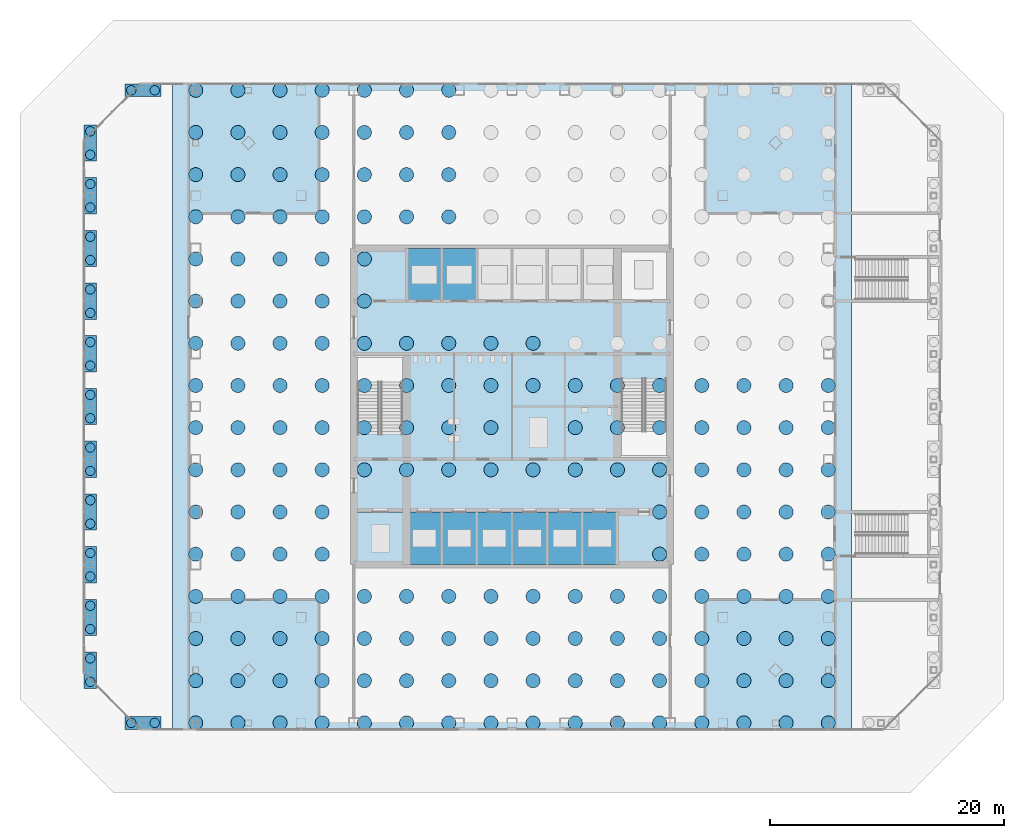
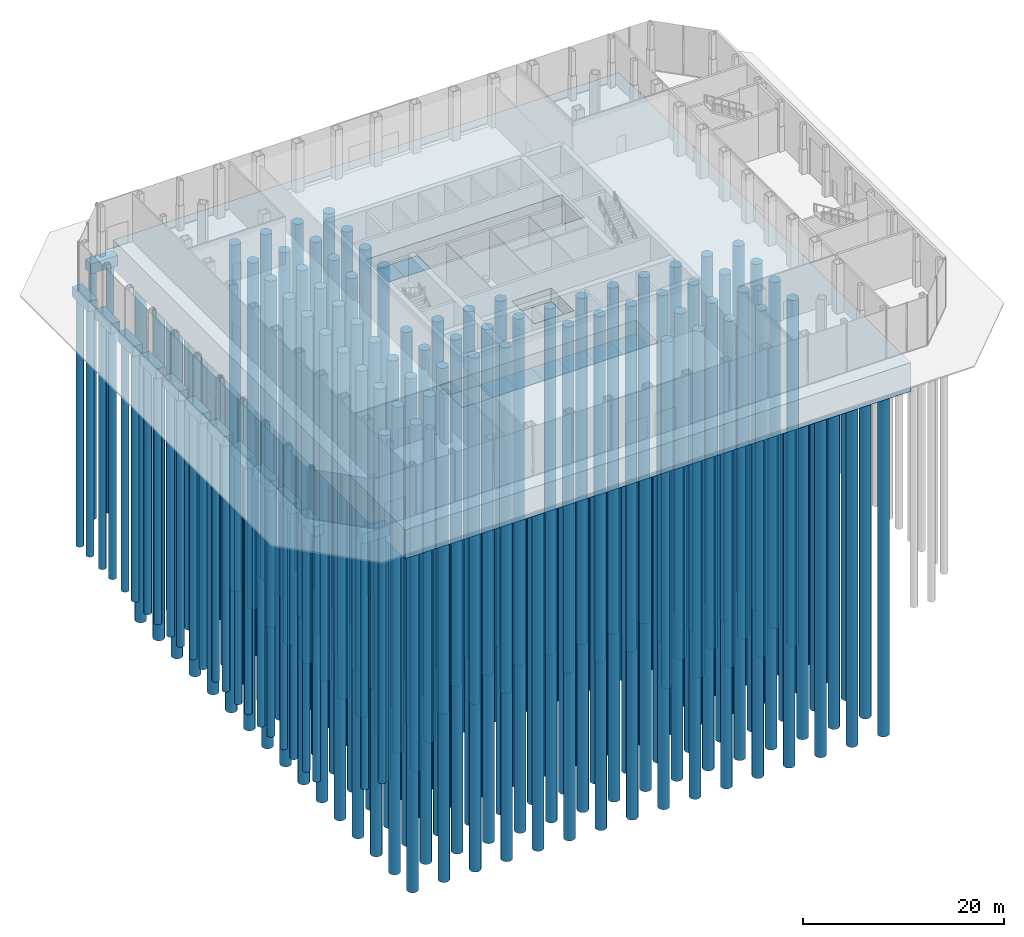
# One storey, part 1 of 24: 202 piles, 24 footings.
"""IFC4 building model written with IfcOpenShell, lengths in metres."""

from ifc_helpers import new_model, si_unit, direction, frame, origin, origin_2d, place, context, subcontext, project, spatial, polyline, circle, outline, extrude, material, type_object, element, save


model = new_model("IFC4")

# Units and contexts
model_context = context("Model", 3, precision=1e-05, world=origin(), true_north=direction((0.0, 1.0)))
body_context = subcontext(model_context, "Body", "Model", "MODEL_VIEW")
ifc_project = project(units=[si_unit("LENGTHUNIT", "METRE"), si_unit("AREAUNIT", "SQUARE_METRE"), si_unit("VOLUMEUNIT", "CUBIC_METRE"), si_unit("PLANEANGLEUNIT", "RADIAN"), si_unit("MASSUNIT", "GRAM", prefix="KILO")], contexts=[model_context])

# Site, building, storey
site_placement = place(None, origin())
site = spatial("IfcSite", under=ifc_project, at=site_placement, CompositionType="ELEMENT")
building_placement = place(site_placement, origin())
building = spatial("IfcBuilding", under=site, at=building_placement, Name="Corais Broadcast Tower", CompositionType="ELEMENT")
storey_placement = place(building_placement, origin())
storey = spatial("IfcBuildingStorey", under=building, at=storey_placement, Name="L00", CompositionType="ELEMENT", Elevation=0.0)

# Piles
ifc_material_1 = material(Name="Concrete C40/50", Category="concrete")
pile_type_1 = type_object("IfcPileType", Name="Bored pile 1200", PredefinedType="BORED", material=ifc_material_1)
for number, where, z_axis, x_axis, name in (
    (1, (0.0, 0.0, -3.75), (0.0, 0.0, -1.0), (1.0, 0.0, 0.0), "P1 pile 1-1"),
    (2, (0.0, 3.60009765625, -3.75), (0.0, 0.0, -1.0), (1.0, 0.0, 0.0), "P1 pile 1-2"),
    (3, (0.0, 7.199951171875, -3.75), (0.0, 0.0, -1.0), (1.0, 0.0, 0.0), "P1 pile 1-3"),
    (4, (0.0, 10.800048828125, -3.75), (0.0, 0.0, -1.0), (1.0, 0.0, 0.0), "P1 pile 1-4"),
    (5, (0.0, 14.39990234375, -3.75), (0.0, 0.0, -1.0), (1.0, 0.0, 0.0), "P1 pile 1-5"),
    (6, (0.0, 18.0, -3.75), (0.0, 0.0, -1.0), (1.0, 0.0, 0.0), "P1 pile 1-6"),
    (7, (0.0, 21.60009765625, -3.75), (0.0, 0.0, -1.0), (1.0, 0.0, 0.0), "P1 pile 1-7"),
    (8, (0.0, 25.199951171875, -3.75), (0.0, 0.0, -1.0), (1.0, 0.0, 0.0), "P1 pile 1-8"),
    (9, (0.0, 28.800048828125, -3.75), (0.0, 0.0, -1.0), (1.0, 0.0, 0.0), "P1 pile 1-9"),
    (10, (0.0, 32.39990234375, -3.75), (0.0, 0.0, -1.0), (1.0, 0.0, 0.0), "P1 pile 1-10"),
    (11, (0.0, 36.0, -3.75), (0.0, 0.0, -1.0), (1.0, 0.0, 0.0), "P1 pile 1-11"),
    (12, (0.0, 39.60009765625, -3.75), (0.0, 0.0, -1.0), (1.0, 0.0, 0.0), "P1 pile 1-12"),
    (13, (0.0, 43.199951171875, -3.75), (0.0, 0.0, -1.0), (1.0, 0.0, 0.0), "P1 pile 1-13"),
    (14, (0.0, 46.800048828125, -3.75), (0.0, 0.0, -1.0), (1.0, 0.0, 0.0), "P1 pile 1-14"),
    (15, (0.0, 50.39990234375, -3.75), (0.0, 0.0, -1.0), (1.0, 0.0, 0.0), "P1 pile 1-15"),
    (16, (0.0, 54.0, -3.75), (0.0, 0.0, -1.0), (1.0, 0.0, 0.0), "P1 pile 1-16"),
    (17, (3.60009765625, 0.0, -3.75), (0.0, 0.0, -1.0), (1.0, 0.0, 0.0), "P1 pile 2-1"),
    (18, (3.60009765625, 3.60009765625, -3.75), (0.0, 0.0, -1.0), (1.0, 0.0, 0.0), "P1 pile 2-2"),
    (19, (3.60009765625, 7.199951171875, -3.75), (0.0, 0.0, -1.0), (1.0, 0.0, 0.0), "P1 pile 2-3"),
    (20, (3.60009765625, 10.800048828125, -3.75), (0.0, 0.0, -1.0), (1.0, 0.0, 0.0), "P1 pile 2-4"),
    (21, (3.60009765625, 14.39990234375, -3.75), (0.0, 0.0, -1.0), (1.0, 0.0, 0.0), "P1 pile 2-5"),
    (22, (3.60009765625, 18.0, -3.75), (0.0, 0.0, -1.0), (1.0, 0.0, 0.0), "P1 pile 2-6"),
    (23, (3.60009765625, 21.60009765625, -3.75), (0.0, 0.0, -1.0), (1.0, 0.0, 0.0), "P1 pile 2-7"),
    (24, (3.60009765625, 25.199951171875, -3.75), (0.0, 0.0, -1.0), (1.0, 0.0, 0.0), "P1 pile 2-8"),
    (25, (3.60009765625, 28.800048828125, -3.75), (0.0, 0.0, -1.0), (1.0, 0.0, 0.0), "P1 pile 2-9"),
    (26, (3.60009765625, 32.39990234375, -3.75), (0.0, 0.0, -1.0), (1.0, 0.0, 0.0), "P1 pile 2-10"),
    (27, (3.60009765625, 36.0, -3.75), (0.0, 0.0, -1.0), (1.0, 0.0, 0.0), "P1 pile 2-11"),
    (28, (3.60009765625, 39.60009765625, -3.75), (0.0, 0.0, -1.0), (1.0, 0.0, 0.0), "P1 pile 2-12"),
    (29, (3.60009765625, 43.199951171875, -3.75), (0.0, 0.0, -1.0), (1.0, 0.0, 0.0), "P1 pile 2-13"),
    (30, (3.60009765625, 46.800048828125, -3.75), (0.0, 0.0, -1.0), (1.0, 0.0, 0.0), "P1 pile 2-14"),
    (31, (3.60009765625, 50.39990234375, -3.75), (0.0, 0.0, -1.0), (1.0, 0.0, 0.0), "P1 pile 2-15"),
    (32, (3.60009765625, 54.0, -3.75), (0.0, 0.0, -1.0), (1.0, 0.0, 0.0), "P1 pile 2-16"),
    (33, (7.199951171875, 0.0, -3.75), (0.0, 0.0, -1.0), (1.0, 0.0, 0.0), "P1 pile 3-1"),
    (34, (7.199951171875, 3.60009765625, -3.75), (0.0, 0.0, -1.0), (1.0, 0.0, 0.0), "P1 pile 3-2"),
    (35, (7.199951171875, 7.199951171875, -3.75), (0.0, 0.0, -1.0), (1.0, 0.0, 0.0), "P1 pile 3-3"),
    (36, (7.199951171875, 10.800048828125, -3.75), (0.0, 0.0, -1.0), (1.0, 0.0, 0.0), "P1 pile 3-4"),
    (37, (7.199951171875, 14.39990234375, -3.75), (0.0, 0.0, -1.0), (1.0, 0.0, 0.0), "P1 pile 3-5"),
    (38, (7.199951171875, 18.0, -3.75), (0.0, 0.0, -1.0), (1.0, 0.0, 0.0), "P1 pile 3-6"),
    (39, (7.199951171875, 21.60009765625, -3.75), (0.0, 0.0, -1.0), (1.0, 0.0, 0.0), "P1 pile 3-7"),
    (40, (7.199951171875, 25.199951171875, -3.75), (0.0, 0.0, -1.0), (1.0, 0.0, 0.0), "P1 pile 3-8"),
    (41, (7.199951171875, 28.800048828125, -3.75), (0.0, 0.0, -1.0), (1.0, 0.0, 0.0), "P1 pile 3-9"),
    (42, (7.199951171875, 32.39990234375, -3.75), (0.0, 0.0, -1.0), (1.0, 0.0, 0.0), "P1 pile 3-10"),
    (43, (7.199951171875, 36.0, -3.75), (0.0, 0.0, -1.0), (1.0, 0.0, 0.0), "P1 pile 3-11"),
    (44, (7.199951171875, 39.60009765625, -3.75), (0.0, 0.0, -1.0), (1.0, 0.0, 0.0), "P1 pile 3-12"),
    (45, (7.199951171875, 43.199951171875, -3.75), (0.0, 0.0, -1.0), (1.0, 0.0, 0.0), "P1 pile 3-13"),
    (46, (7.199951171875, 46.800048828125, -3.75), (0.0, 0.0, -1.0), (1.0, 0.0, 0.0), "P1 pile 3-14"),
    (47, (7.199951171875, 50.39990234375, -3.75), (0.0, 0.0, -1.0), (1.0, 0.0, 0.0), "P1 pile 3-15"),
    (48, (7.199951171875, 54.0, -3.75), (0.0, 0.0, -1.0), (1.0, 0.0, 0.0), "P1 pile 3-16"),
    (49, (10.800048828125, 0.0, -3.75), (0.0, 0.0, -1.0), (1.0, 0.0, 0.0), "P1 pile 4-1"),
    (50, (10.800048828125, 3.60009765625, -3.75), (0.0, 0.0, -1.0), (1.0, 0.0, 0.0), "P1 pile 4-2"),
    (51, (10.800048828125, 7.199951171875, -3.75), (0.0, 0.0, -1.0), (1.0, 0.0, 0.0), "P1 pile 4-3"),
    (52, (10.800048828125, 10.800048828125, -3.75), (0.0, 0.0, -1.0), (1.0, 0.0, 0.0), "P1 pile 4-4"),
    (53, (10.800048828125, 14.39990234375, -3.75), (0.0, 0.0, -1.0), (1.0, 0.0, 0.0), "P1 pile 4-5"),
    (54, (10.800048828125, 18.0, -3.75), (0.0, 0.0, -1.0), (1.0, 0.0, 0.0), "P1 pile 4-6"),
    (55, (10.800048828125, 21.60009765625, -3.75), (0.0, 0.0, -1.0), (1.0, 0.0, 0.0), "P1 pile 4-7"),
    (56, (10.800048828125, 25.199951171875, -3.75), (0.0, 0.0, -1.0), (1.0, 0.0, 0.0), "P1 pile 4-8"),
    (57, (10.800048828125, 28.800048828125, -3.75), (0.0, 0.0, -1.0), (1.0, 0.0, 0.0), "P1 pile 4-9"),
    (58, (10.800048828125, 32.39990234375, -3.75), (0.0, 0.0, -1.0), (1.0, 0.0, 0.0), "P1 pile 4-10"),
    (59, (10.800048828125, 36.0, -3.75), (0.0, 0.0, -1.0), (1.0, 0.0, 0.0), "P1 pile 4-11"),
    (60, (10.800048828125, 39.60009765625, -3.75), (0.0, 0.0, -1.0), (1.0, 0.0, 0.0), "P1 pile 4-12"),
    (61, (10.800048828125, 43.199951171875, -3.75), (0.0, 0.0, -1.0), (1.0, 0.0, 0.0), "P1 pile 4-13"),
    (62, (10.800048828125, 46.800048828125, -3.75), (0.0, 0.0, -1.0), (1.0, 0.0, 0.0), "P1 pile 4-14"),
    (63, (10.800048828125, 50.39990234375, -3.75), (0.0, 0.0, -1.0), (1.0, 0.0, 0.0), "P1 pile 4-15"),
    (64, (10.800048828125, 54.0, -3.75), (0.0, 0.0, -1.0), (1.0, 0.0, 0.0), "P1 pile 4-16"),
    (65, (14.39990234375, 0.0, -3.75), (0.0, 0.0, -1.0), (1.0, 0.0, 0.0), "P1 pile 5-1"),
    (66, (14.39990234375, 3.60009765625, -3.75), (0.0, 0.0, -1.0), (1.0, 0.0, 0.0), "P1 pile 5-2"),
    (67, (14.39990234375, 7.199951171875, -3.75), (0.0, 0.0, -1.0), (1.0, 0.0, 0.0), "P1 pile 5-3"),
    (68, (14.39990234375, 10.800048828125, -3.75), (0.0, 0.0, -1.0), (1.0, 0.0, 0.0), "P1 pile 5-4"),
    (69, (14.39990234375, 21.60009765625, -3.75), (0.0, 0.0, -1.0), (1.0, 0.0, 0.0), "P1 pile 5-7"),
    (70, (14.39990234375, 25.199951171875, -3.75), (0.0, 0.0, -1.0), (1.0, 0.0, 0.0), "P1 pile 5-8"),
    (71, (14.39990234375, 28.800048828125, -3.75), (0.0, 0.0, -1.0), (1.0, 0.0, 0.0), "P1 pile 5-9"),
    (72, (14.39990234375, 32.39990234375, -3.75), (0.0, 0.0, -1.0), (1.0, 0.0, 0.0), "P1 pile 5-10"),
    (73, (14.39990234375, 36.0, -3.75), (0.0, 0.0, -1.0), (1.0, 0.0, 0.0), "P1 pile 5-11"),
    (74, (14.39990234375, 39.60009765625, -3.75), (0.0, 0.0, -1.0), (1.0, 0.0, 0.0), "P1 pile 5-12"),
    (75, (14.39990234375, 43.199951171875, -3.75), (0.0, 0.0, -1.0), (1.0, 0.0, 0.0), "P1 pile 5-13"),
    (76, (14.39990234375, 46.800048828125, -3.75), (0.0, 0.0, -1.0), (1.0, 0.0, 0.0), "P1 pile 5-14"),
    (77, (14.39990234375, 50.39990234375, -3.75), (0.0, 0.0, -1.0), (1.0, 0.0, 0.0), "P1 pile 5-15"),
    (78, (14.39990234375, 54.0, -3.75), (0.0, 0.0, -1.0), (1.0, 0.0, 0.0), "P1 pile 5-16"),
    (79, (18.0, 0.0, -3.75), (0.0, 0.0, -1.0), (1.0, 0.0, 0.0), "P1 pile 6-1"),
    (80, (18.0, 3.60009765625, -3.75), (0.0, 0.0, -1.0), (1.0, 0.0, 0.0), "P1 pile 6-2"),
    (81, (18.0, 7.199951171875, -3.75), (0.0, 0.0, -1.0), (1.0, 0.0, 0.0), "P1 pile 6-3"),
    (82, (18.0, 10.800048828125, -3.75), (0.0, 0.0, -1.0), (1.0, 0.0, 0.0), "P1 pile 6-4"),
    (83, (18.0, 21.60009765625, -3.75), (0.0, 0.0, -1.0), (1.0, 0.0, 0.0), "P1 pile 6-7"),
    (84, (18.0, 25.199951171875, -3.75), (0.0, 0.0, -1.0), (1.0, 0.0, 0.0), "P1 pile 6-8"),
    (85, (18.0, 28.800048828125, -3.75), (0.0, 0.0, -1.0), (1.0, 0.0, 0.0), "P1 pile 6-9"),
    (86, (18.0, 32.39990234375, -3.75), (0.0, 0.0, -1.0), (1.0, 0.0, 0.0), "P1 pile 6-10"),
    (87, (18.0, 43.199951171875, -3.75), (0.0, 0.0, -1.0), (1.0, 0.0, 0.0), "P1 pile 6-13"),
    (88, (18.0, 46.800048828125, -3.75), (0.0, 0.0, -1.0), (1.0, 0.0, 0.0), "P1 pile 6-14"),
    (89, (18.0, 50.39990234375, -3.75), (0.0, 0.0, -1.0), (1.0, 0.0, 0.0), "P1 pile 6-15"),
    (90, (18.0, 54.0, -3.75), (0.0, 0.0, -1.0), (1.0, 0.0, 0.0), "P1 pile 6-16"),
    (91, (21.60009765625, 0.0, -3.75), (0.0, 0.0, -1.0), (1.0, 0.0, 0.0), "P1 pile 7-1"),
    (92, (21.60009765625, 3.60009765625, -3.75), (0.0, 0.0, -1.0), (1.0, 0.0, 0.0), "P1 pile 7-2"),
    (93, (21.60009765625, 7.199951171875, -3.75), (0.0, 0.0, -1.0), (1.0, 0.0, 0.0), "P1 pile 7-3"),
    (94, (21.60009765625, 10.800048828125, -3.75), (0.0, 0.0, -1.0), (1.0, 0.0, 0.0), "P1 pile 7-4"),
    (95, (21.60009765625, 21.60009765625, -3.75), (0.0, 0.0, -1.0), (1.0, 0.0, 0.0), "P1 pile 7-7"),
    (96, (21.60009765625, 25.199951171875, -3.75), (0.0, 0.0, -1.0), (1.0, 0.0, 0.0), "P1 pile 7-8"),
    (97, (21.60009765625, 28.800048828125, -3.75), (0.0, 0.0, -1.0), (1.0, 0.0, 0.0), "P1 pile 7-9"),
    (98, (21.60009765625, 32.39990234375, -3.75), (0.0, 0.0, -1.0), (1.0, 0.0, 0.0), "P1 pile 7-10"),
    (99, (21.60009765625, 43.199951171875, -3.75), (0.0, 0.0, -1.0), (1.0, 0.0, 0.0), "P1 pile 7-13"),
    (100, (21.60009765625, 46.800048828125, -3.75), (0.0, 0.0, -1.0), (1.0, 0.0, 0.0), "P1 pile 7-14"),
    (101, (21.60009765625, 50.39990234375, -3.75), (0.0, 0.0, -1.0), (1.0, 0.0, 0.0), "P1 pile 7-15"),
    (102, (21.60009765625, 54.0, -3.75), (0.0, 0.0, -1.0), (1.0, 0.0, 0.0), "P1 pile 7-16"),
    (103, (25.199951171875, 0.0, -3.75), (0.0, 0.0, -1.0), (1.0, 0.0, 0.0), "P1 pile 8-1"),
    (104, (25.199951171875, 3.60009765625, -3.75), (0.0, 0.0, -1.0), (1.0, 0.0, 0.0), "P1 pile 8-2"),
    (105, (25.199951171875, 7.199951171875, -3.75), (0.0, 0.0, -1.0), (1.0, 0.0, 0.0), "P1 pile 8-3"),
    (106, (25.199951171875, 10.800048828125, -3.75), (0.0, 0.0, -1.0), (1.0, 0.0, 0.0), "P1 pile 8-4"),
    (107, (25.199951171875, 21.60009765625, -3.75), (0.0, 0.0, -1.0), (1.0, 0.0, 0.0), "P1 pile 8-7"),
    (108, (25.199951171875, 25.199951171875, -3.75), (0.0, 0.0, -1.0), (1.0, 0.0, 0.0), "P1 pile 8-8"),
    (109, (25.199951171875, 28.800048828125, -3.75), (0.0, 0.0, -1.0), (1.0, 0.0, 0.0), "P1 pile 8-9"),
    (110, (25.199951171875, 32.39990234375, -3.75), (0.0, 0.0, -1.0), (1.0, 0.0, 0.0), "P1 pile 8-10"),
    (111, (28.800048828125, 0.0, -3.75), (0.0, 0.0, -1.0), (1.0, 0.0, 0.0), "P1 pile 9-1"),
    (112, (28.800048828125, 3.60009765625, -3.75), (0.0, 0.0, -1.0), (1.0, 0.0, 0.0), "P1 pile 9-2"),
    (113, (28.800048828125, 7.199951171875, -3.75), (0.0, 0.0, -1.0), (1.0, 0.0, 0.0), "P1 pile 9-3"),
    (114, (28.800048828125, 10.800048828125, -3.75), (0.0, 0.0, -1.0), (1.0, 0.0, 0.0), "P1 pile 9-4"),
    (115, (28.800048828125, 21.60009765625, -3.75), (0.0, 0.0, -1.0), (1.0, 0.0, 0.0), "P1 pile 9-7"),
    (116, (28.800048828125, 28.800048828125, -3.75), (0.0, 0.0, -1.0), (1.0, 0.0, 0.0), "P1 pile 9-9"),
    (117, (28.800048828125, 32.39990234375, -3.75), (0.0, 0.0, -1.0), (1.0, 0.0, 0.0), "P1 pile 9-10"),
    (118, (32.39990234375, 0.0, -3.75), (0.0, 0.0, -1.0), (1.0, 0.0, 0.0), "P1 pile 10-1"),
    (119, (32.39990234375, 3.60009765625, -3.75), (0.0, 0.0, -1.0), (1.0, 0.0, 0.0), "P1 pile 10-2"),
    (120, (32.39990234375, 7.199951171875, -3.75), (0.0, 0.0, -1.0), (1.0, 0.0, 0.0), "P1 pile 10-3"),
    (121, (32.39990234375, 10.800048828125, -3.75), (0.0, 0.0, -1.0), (1.0, 0.0, 0.0), "P1 pile 10-4"),
    (122, (32.39990234375, 21.60009765625, -3.75), (0.0, 0.0, -1.0), (1.0, 0.0, 0.0), "P1 pile 10-7"),
    (123, (32.39990234375, 25.199951171875, -3.75), (0.0, 0.0, -1.0), (1.0, 0.0, 0.0), "P1 pile 10-8"),
    (124, (32.39990234375, 28.800048828125, -3.75), (0.0, 0.0, -1.0), (1.0, 0.0, 0.0), "P1 pile 10-9"),
    (125, (36.0, 0.0, -3.75), (0.0, 0.0, -1.0), (1.0, 0.0, 0.0), "P1 pile 11-1"),
    (126, (36.0, 3.60009765625, -3.75), (0.0, 0.0, -1.0), (1.0, 0.0, 0.0), "P1 pile 11-2"),
    (127, (36.0, 7.199951171875, -3.75), (0.0, 0.0, -1.0), (1.0, 0.0, 0.0), "P1 pile 11-3"),
    (128, (36.0, 10.800048828125, -3.75), (0.0, 0.0, -1.0), (1.0, 0.0, 0.0), "P1 pile 11-4"),
    (129, (36.0, 21.60009765625, -3.75), (0.0, 0.0, -1.0), (1.0, 0.0, 0.0), "P1 pile 11-7"),
    (130, (36.0, 25.199951171875, -3.75), (0.0, 0.0, -1.0), (1.0, 0.0, 0.0), "P1 pile 11-8"),
    (131, (36.0, 28.800048828125, -3.75), (0.0, 0.0, -1.0), (1.0, 0.0, 0.0), "P1 pile 11-9"),
    (132, (39.60009765625, 0.0, -3.75), (0.0, 0.0, -1.0), (1.0, 0.0, 0.0), "P1 pile 12-1"),
    (133, (39.60009765625, 3.60009765625, -3.75), (0.0, 0.0, -1.0), (1.0, 0.0, 0.0), "P1 pile 12-2"),
    (134, (39.60009765625, 7.199951171875, -3.75), (0.0, 0.0, -1.0), (1.0, 0.0, 0.0), "P1 pile 12-3"),
    (135, (39.60009765625, 10.800048828125, -3.75), (0.0, 0.0, -1.0), (1.0, 0.0, 0.0), "P1 pile 12-4"),
    (136, (39.60009765625, 14.39990234375, -3.75), (0.0, 0.0, -1.0), (1.0, 0.0, 0.0), "P1 pile 12-5"),
    (137, (39.60009765625, 18.0, -3.75), (0.0, 0.0, -1.0), (1.0, 0.0, 0.0), "P1 pile 12-6"),
    (138, (39.60009765625, 21.60009765625, -3.75), (0.0, 0.0, -1.0), (1.0, 0.0, 0.0), "P1 pile 12-7"),
    (139, (39.60009765625, 25.199951171875, -3.75), (0.0, 0.0, -1.0), (1.0, 0.0, 0.0), "P1 pile 12-8"),
    (140, (39.60009765625, 28.800048828125, -3.75), (0.0, 0.0, -1.0), (1.0, 0.0, 0.0), "P1 pile 12-9"),
    (141, (43.199951171875, 0.0, -3.75), (0.0, 0.0, -1.0), (1.0, 0.0, 0.0), "P1 pile 13-1"),
    (142, (43.199951171875, 3.60009765625, -3.75), (0.0, 0.0, -1.0), (1.0, 0.0, 0.0), "P1 pile 13-2"),
    (143, (43.199951171875, 7.199951171875, -3.75), (0.0, 0.0, -1.0), (1.0, 0.0, 0.0), "P1 pile 13-3"),
    (144, (43.199951171875, 10.800048828125, -3.75), (0.0, 0.0, -1.0), (1.0, 0.0, 0.0), "P1 pile 13-4"),
    (145, (43.199951171875, 14.39990234375, -3.75), (0.0, 0.0, -1.0), (1.0, 0.0, 0.0), "P1 pile 13-5"),
    (146, (43.199951171875, 18.0, -3.75), (0.0, 0.0, -1.0), (1.0, 0.0, 0.0), "P1 pile 13-6"),
    (147, (43.199951171875, 21.60009765625, -3.75), (0.0, 0.0, -1.0), (1.0, 0.0, 0.0), "P1 pile 13-7"),
    (148, (43.199951171875, 25.199951171875, -3.75), (0.0, 0.0, -1.0), (1.0, 0.0, 0.0), "P1 pile 13-8"),
    (149, (43.199951171875, 28.800048828125, -3.75), (0.0, 0.0, -1.0), (1.0, 0.0, 0.0), "P1 pile 13-9"),
    (150, (46.800048828125, 0.0, -3.75), (0.0, 0.0, -1.0), (1.0, 0.0, 0.0), "P1 pile 14-1"),
    (151, (46.800048828125, 3.60009765625, -3.75), (0.0, 0.0, -1.0), (1.0, 0.0, 0.0), "P1 pile 14-2"),
    (152, (46.800048828125, 7.199951171875, -3.75), (0.0, 0.0, -1.0), (1.0, 0.0, 0.0), "P1 pile 14-3"),
    (153, (46.800048828125, 10.800048828125, -3.75), (0.0, 0.0, -1.0), (1.0, 0.0, 0.0), "P1 pile 14-4"),
    (154, (46.800048828125, 14.39990234375, -3.75), (0.0, 0.0, -1.0), (1.0, 0.0, 0.0), "P1 pile 14-5"),
    (155, (46.800048828125, 18.0, -3.75), (0.0, 0.0, -1.0), (1.0, 0.0, 0.0), "P1 pile 14-6"),
    (156, (46.800048828125, 21.60009765625, -3.75), (0.0, 0.0, -1.0), (1.0, 0.0, 0.0), "P1 pile 14-7"),
    (157, (46.800048828125, 25.199951171875, -3.75), (0.0, 0.0, -1.0), (1.0, 0.0, 0.0), "P1 pile 14-8"),
    (158, (46.800048828125, 28.800048828125, -3.75), (0.0, 0.0, -1.0), (1.0, 0.0, 0.0), "P1 pile 14-9"),
    (159, (50.39990234375, 0.0, -3.75), (0.0, 0.0, -1.0), (1.0, 0.0, 0.0), "P1 pile 15-1"),
    (160, (50.39990234375, 3.60009765625, -3.75), (0.0, 0.0, -1.0), (1.0, 0.0, 0.0), "P1 pile 15-2"),
    (161, (50.39990234375, 7.199951171875, -3.75), (0.0, 0.0, -1.0), (1.0, 0.0, 0.0), "P1 pile 15-3"),
    (162, (50.39990234375, 10.800048828125, -3.75), (0.0, 0.0, -1.0), (1.0, 0.0, 0.0), "P1 pile 15-4"),
    (163, (50.39990234375, 14.39990234375, -3.75), (0.0, 0.0, -1.0), (1.0, 0.0, 0.0), "P1 pile 15-5"),
    (164, (50.39990234375, 18.0, -3.75), (0.0, 0.0, -1.0), (1.0, 0.0, 0.0), "P1 pile 15-6"),
    (165, (50.39990234375, 21.60009765625, -3.75), (0.0, 0.0, -1.0), (1.0, 0.0, 0.0), "P1 pile 15-7"),
    (166, (50.39990234375, 25.199951171875, -3.75), (0.0, 0.0, -1.0), (1.0, 0.0, 0.0), "P1 pile 15-8"),
    (167, (50.39990234375, 28.800048828125, -3.75), (0.0, 0.0, -1.0), (1.0, 0.0, 0.0), "P1 pile 15-9"),
    (168, (54.0, 0.0, -3.75), (0.0, 0.0, -1.0), (1.0, 0.0, 0.0), "P1 pile 16-1"),
    (169, (54.0, 3.60009765625, -3.75), (0.0, 0.0, -1.0), (1.0, 0.0, 0.0), "P1 pile 16-2"),
    (170, (54.0, 7.199951171875, -3.75), (0.0, 0.0, -1.0), (1.0, 0.0, 0.0), "P1 pile 16-3"),
    (171, (54.0, 10.800048828125, -3.75), (0.0, 0.0, -1.0), (1.0, 0.0, 0.0), "P1 pile 16-4"),
    (172, (54.0, 14.39990234375, -3.75), (0.0, 0.0, -1.0), (1.0, 0.0, 0.0), "P1 pile 16-5"),
    (173, (54.0, 18.0, -3.75), (0.0, 0.0, -1.0), (1.0, 0.0, 0.0), "P1 pile 16-6"),
    (174, (54.0, 21.60009765625, -3.75), (0.0, 0.0, -1.0), (1.0, 0.0, 0.0), "P1 pile 16-7"),
    (175, (54.0, 25.199951171875, -3.75), (0.0, 0.0, -1.0), (1.0, 0.0, 0.0), "P1 pile 16-8"),
    (176, (54.0, 28.800048828125, -3.75), (0.0, 0.0, -1.0), (1.0, 0.0, 0.0), "P1 pile 16-9"),
):
    element("IfcPile", number, at=place(storey_placement, frame(where, z_axis=z_axis, x_axis=x_axis)), inside=storey, type_object=pile_type_1, Name=name, PredefinedType="BORED", context=body_context, shape_type="SweptSolid", body=[
        extrude(circle(Radius=0.60009765625, at=origin_2d()), origin(), (0.0, 0.0, 1.0), 42.0),
    ])
ifc_material_2 = material(Name="Concrete C40/50", Category="concrete")
pile_type_2 = type_object("IfcPileType", Name="Bored pile 800", PredefinedType="BORED", material=ifc_material_2)
for number, where, z_axis, x_axis, name in (
    (177, (-9.0, 3.5, -1.449951171875), (0.0, 0.0, -1.0), (1.0, 0.0, 0.0), "P2 pile"),
    (178, (-9.0, 5.5, -1.449951171875), (0.0, 0.0, -1.0), (1.0, 0.0, 0.0), "P2 pile"),
    (179, (-9.0, 8.0, -1.449951171875), (0.0, 0.0, -1.0), (1.0, 0.0, 0.0), "P2 pile"),
    (180, (-9.0, 10.0, -1.449951171875), (0.0, 0.0, -1.0), (1.0, 0.0, 0.0), "P2 pile"),
    (181, (-9.0, 12.5, -1.449951171875), (0.0, 0.0, -1.0), (1.0, 0.0, 0.0), "P2 pile"),
    (182, (-9.0, 14.5, -1.449951171875), (0.0, 0.0, -1.0), (1.0, 0.0, 0.0), "P2 pile"),
    (183, (-9.0, 17.0, -1.449951171875), (0.0, 0.0, -1.0), (1.0, 0.0, 0.0), "P2 pile"),
    (184, (-9.0, 19.0, -1.449951171875), (0.0, 0.0, -1.0), (1.0, 0.0, 0.0), "P2 pile"),
    (185, (-9.0, 21.5, -1.449951171875), (0.0, 0.0, -1.0), (1.0, 0.0, 0.0), "P2 pile"),
    (186, (-9.0, 23.5, -1.449951171875), (0.0, 0.0, -1.0), (1.0, 0.0, 0.0), "P2 pile"),
    (187, (-9.0, 26.0, -1.449951171875), (0.0, 0.0, -1.0), (1.0, 0.0, 0.0), "P2 pile"),
    (188, (-9.0, 28.0, -1.449951171875), (0.0, 0.0, -1.0), (1.0, 0.0, 0.0), "P2 pile"),
    (189, (-9.0, 30.5, -1.449951171875), (0.0, 0.0, -1.0), (1.0, 0.0, 0.0), "P2 pile"),
    (190, (-9.0, 32.5, -1.449951171875), (0.0, 0.0, -1.0), (1.0, 0.0, 0.0), "P2 pile"),
    (191, (-9.0, 35.0, -1.449951171875), (0.0, 0.0, -1.0), (1.0, 0.0, 0.0), "P2 pile"),
    (192, (-9.0, 37.0, -1.449951171875), (0.0, 0.0, -1.0), (1.0, 0.0, 0.0), "P2 pile"),
    (193, (-9.0, 39.5, -1.449951171875), (0.0, 0.0, -1.0), (1.0, 0.0, 0.0), "P2 pile"),
    (194, (-9.0, 41.5, -1.449951171875), (0.0, 0.0, -1.0), (1.0, 0.0, 0.0), "P2 pile"),
    (195, (-9.0, 44.0, -1.449951171875), (0.0, 0.0, -1.0), (1.0, 0.0, 0.0), "P2 pile"),
    (196, (-9.0, 46.0, -1.449951171875), (0.0, 0.0, -1.0), (1.0, 0.0, 0.0), "P2 pile"),
    (197, (-9.0, 48.5, -1.449951171875), (0.0, 0.0, -1.0), (1.0, 0.0, 0.0), "P2 pile"),
    (198, (-9.0, 50.5, -1.449951171875), (0.0, 0.0, -1.0), (1.0, 0.0, 0.0), "P2 pile"),
    (199, (-5.5, 0.0, -1.449951171875), (0.0, 0.0, -1.0), (1.0, 0.0, 0.0), "P2 pile"),
    (200, (-3.5, 0.0, -1.449951171875), (0.0, 0.0, -1.0), (1.0, 0.0, 0.0), "P2 pile"),
    (201, (-5.5, 54.0, -1.449951171875), (0.0, 0.0, -1.0), (1.0, 0.0, 0.0), "P2 pile"),
    (202, (-3.5, 54.0, -1.449951171875), (0.0, 0.0, -1.0), (1.0, 0.0, 0.0), "P2 pile"),
):
    element("IfcPile", number, at=place(storey_placement, frame(where, z_axis=z_axis, x_axis=x_axis)), inside=storey, type_object=pile_type_2, Name=name, PredefinedType="BORED", context=body_context, shape_type="SweptSolid", body=[
        extrude(circle(Radius=0.39990234375, at=origin_2d()), origin(), (0.0, 0.0, 1.0), 30.0),
    ])

# Footings
ifc_material_3 = material(Name="Concrete C40/50", Category="concrete")
footing_type_1 = type_object("IfcFootingType", Name="Lift pit base 3000x4500", PredefinedType="PILE_CAP", material=ifc_material_3)
footing_1_placement = place(storey_placement, frame((0.0, 0.0, -3.75)))
element("IfcFooting", 203, at=footing_1_placement, inside=storey, type_object=footing_type_1, Name="Lift pit base 1", PredefinedType="PILE_CAP", context=body_context, shape_type="SweptSolid", body=[
    extrude(outline(polyline([(18.0, 13.5), (21.0, 13.5), (21.0, 18.0), (18.0, 18.0), (18.0, 13.5)])), origin(), (0.0, 0.0, 1.0), 1.89990234375),
])
footing_2_placement = place(storey_placement, frame((0.0, 0.0, -3.75)))
element("IfcFooting", 204, at=footing_2_placement, inside=storey, type_object=footing_type_1, Name="Lift pit base 2", PredefinedType="PILE_CAP", context=body_context, shape_type="SweptSolid", body=[
    extrude(outline(polyline([(21.0, 13.5), (24.0, 13.5), (24.0, 18.0), (21.0, 18.0), (21.0, 13.5)])), origin(), (0.0, 0.0, 1.0), 1.89990234375),
])
footing_3_placement = place(storey_placement, frame((0.0, 0.0, -3.75)))
element("IfcFooting", 205, at=footing_3_placement, inside=storey, type_object=footing_type_1, Name="Lift pit base 3", PredefinedType="PILE_CAP", context=body_context, shape_type="SweptSolid", body=[
    extrude(outline(polyline([(24.0, 13.5), (27.0, 13.5), (27.0, 18.0), (24.0, 18.0), (24.0, 13.5)])), origin(), (0.0, 0.0, 1.0), 1.89990234375),
])
footing_4_placement = place(storey_placement, frame((0.0, 0.0, -3.75)))
element("IfcFooting", 206, at=footing_4_placement, inside=storey, type_object=footing_type_1, Name="Lift pit base 4", PredefinedType="PILE_CAP", context=body_context, shape_type="SweptSolid", body=[
    extrude(outline(polyline([(27.0, 13.5), (30.0, 13.5), (30.0, 18.0), (27.0, 18.0), (27.0, 13.5)])), origin(), (0.0, 0.0, 1.0), 1.89990234375),
])
footing_5_placement = place(storey_placement, frame((0.0, 0.0, -3.75)))
element("IfcFooting", 207, at=footing_5_placement, inside=storey, type_object=footing_type_1, Name="Lift pit base 5", PredefinedType="PILE_CAP", context=body_context, shape_type="SweptSolid", body=[
    extrude(outline(polyline([(30.0, 13.5), (33.0, 13.5), (33.0, 18.0), (30.0, 18.0), (30.0, 13.5)])), origin(), (0.0, 0.0, 1.0), 1.89990234375),
])
footing_6_placement = place(storey_placement, frame((0.0, 0.0, -3.75)))
element("IfcFooting", 208, at=footing_6_placement, inside=storey, type_object=footing_type_1, Name="Lift pit base 6", PredefinedType="PILE_CAP", context=body_context, shape_type="SweptSolid", body=[
    extrude(outline(polyline([(33.0, 13.5), (36.0, 13.5), (36.0, 18.0), (33.0, 18.0), (33.0, 13.5)])), origin(), (0.0, 0.0, 1.0), 1.89990234375),
])
footing_7_placement = place(storey_placement, frame((0.0, 0.0, -3.75)))
element("IfcFooting", 209, at=footing_7_placement, inside=storey, type_object=footing_type_1, Name="Lift pit base 7", PredefinedType="PILE_CAP", context=body_context, shape_type="SweptSolid", body=[
    extrude(outline(polyline([(18.0, 36.0), (21.0, 36.0), (21.0, 40.5), (18.0, 40.5), (18.0, 36.0)])), origin(), (0.0, 0.0, 1.0), 1.89990234375),
])
footing_8_placement = place(storey_placement, frame((0.0, 0.0, -3.75)))
element("IfcFooting", 210, at=footing_8_placement, inside=storey, type_object=footing_type_1, Name="Lift pit base 8", PredefinedType="PILE_CAP", context=body_context, shape_type="SweptSolid", body=[
    extrude(outline(polyline([(21.0, 36.0), (24.0, 36.0), (24.0, 40.5), (21.0, 40.5), (21.0, 36.0)])), origin(), (0.0, 0.0, 1.0), 1.89990234375),
])
ifc_material_4 = material(Name="Concrete C40/50", Category="concrete")
footing_type_2 = type_object("IfcFootingType", Name="Lift pit base 4500x4500", PredefinedType="PILE_CAP", material=ifc_material_4)
footing_9_placement = place(storey_placement, frame((0.0, 0.0, -3.75)))
element("IfcFooting", 211, at=footing_9_placement, inside=storey, type_object=footing_type_2, Name="Lift pit base 13", PredefinedType="PILE_CAP", context=body_context, shape_type="SweptSolid", body=[
    extrude(outline(polyline([(13.5, 13.5), (18.0, 13.5), (18.0, 18.0), (13.5, 18.0), (13.5, 13.5)])), origin(), (0.0, 0.0, 1.0), 1.89990234375),
])
footing_10_placement = place(storey_placement, frame((0.0, 0.0, -3.75)))
element("IfcFooting", 212, at=footing_10_placement, inside=storey, type_object=footing_type_2, Name="Lift pit base 15", PredefinedType="PILE_CAP", context=body_context, shape_type="SweptSolid", body=[
    extrude(outline(polyline([(27.0, 22.5), (31.5, 22.5), (31.5, 27.0), (27.0, 27.0), (27.0, 22.5)])), origin(), (0.0, 0.0, 1.0), 1.89990234375),
])
ifc_material_5 = material(Name="Concrete C40/50", Category="concrete")
footing_type_3 = type_object("IfcFootingType", Name="Piled raft 3500", PredefinedType="PILE_CAP", material=ifc_material_5)
footing_11_placement = place(storey_placement, frame((0.0, 0.0, -3.75)))
element("IfcFooting", 213, at=footing_11_placement, inside=storey, type_object=footing_type_3, Name="PR1 piled raft", PredefinedType="PILE_CAP", context=body_context, shape_type="SweptSolid", body=[
    extrude(outline(polyline([(-2.0, -2.0), (56.0, -2.0), (56.0, 56.0), (-2.0, 56.0), (-2.0, -2.0)]), holes=[polyline([(13.5, 18.0), (36.0, 18.0), (36.0, 13.5), (13.5, 13.5), (13.5, 18.0)]), polyline([(40.5, 36.0), (18.0, 36.0), (18.0, 40.5), (40.5, 40.5), (40.5, 36.0)]), polyline([(27.0, 22.5), (27.0, 27.0), (31.5, 27.0), (31.5, 22.5), (27.0, 22.5)])]), origin(), (0.0, 0.0, 1.0), 3.5),
])
ifc_material_6 = material(Name="Concrete C40/50", Category="concrete")
footing_type_4 = type_object("IfcFootingType", Name="Two-pile cap 3100x1100", PredefinedType="PILE_CAP", material=ifc_material_6)
footing_12_placement = place(storey_placement, frame((0.0, 0.0, -1.449951171875)))
element("IfcFooting", 214, at=footing_12_placement, inside=storey, type_object=footing_type_4, Name="PC1 pile cap B/1", PredefinedType="PILE_CAP", context=body_context, shape_type="SweptSolid", body=[
    extrude(outline(polyline([(-9.550048828125, 2.949951171875), (-8.449951171875, 2.949951171875), (-8.449951171875, 6.050048828125), (-9.550048828125, 6.050048828125), (-9.550048828125, 2.949951171875)])), origin(), (0.0, 0.0, 1.0), 1.199951171875),
])
footing_13_placement = place(storey_placement, frame((0.0, 0.0, -1.449951171875)))
element("IfcFooting", 215, at=footing_13_placement, inside=storey, type_object=footing_type_4, Name="PC1 pile cap C/1", PredefinedType="PILE_CAP", context=body_context, shape_type="SweptSolid", body=[
    extrude(outline(polyline([(-9.550048828125, 7.449951171875), (-8.449951171875, 7.449951171875), (-8.449951171875, 10.550048828125), (-9.550048828125, 10.550048828125), (-9.550048828125, 7.449951171875)])), origin(), (0.0, 0.0, 1.0), 1.199951171875),
])
footing_14_placement = place(storey_placement, frame((0.0, 0.0, -1.449951171875)))
element("IfcFooting", 216, at=footing_14_placement, inside=storey, type_object=footing_type_4, Name="PC1 pile cap D/1", PredefinedType="PILE_CAP", context=body_context, shape_type="SweptSolid", body=[
    extrude(outline(polyline([(-9.550048828125, 11.949951171875), (-8.449951171875, 11.949951171875), (-8.449951171875, 15.050048828125), (-9.550048828125, 15.050048828125), (-9.550048828125, 11.949951171875)])), origin(), (0.0, 0.0, 1.0), 1.199951171875),
])
footing_15_placement = place(storey_placement, frame((0.0, 0.0, -1.449951171875)))
element("IfcFooting", 217, at=footing_15_placement, inside=storey, type_object=footing_type_4, Name="PC1 pile cap E/1", PredefinedType="PILE_CAP", context=body_context, shape_type="SweptSolid", body=[
    extrude(outline(polyline([(-9.550048828125, 16.449951171875), (-8.449951171875, 16.449951171875), (-8.449951171875, 19.550048828125), (-9.550048828125, 19.550048828125), (-9.550048828125, 16.449951171875)])), origin(), (0.0, 0.0, 1.0), 1.199951171875),
])
footing_16_placement = place(storey_placement, frame((0.0, 0.0, -1.449951171875)))
element("IfcFooting", 218, at=footing_16_placement, inside=storey, type_object=footing_type_4, Name="PC1 pile cap F/1", PredefinedType="PILE_CAP", context=body_context, shape_type="SweptSolid", body=[
    extrude(outline(polyline([(-9.550048828125, 20.949951171875), (-8.449951171875, 20.949951171875), (-8.449951171875, 24.050048828125), (-9.550048828125, 24.050048828125), (-9.550048828125, 20.949951171875)])), origin(), (0.0, 0.0, 1.0), 1.199951171875),
])
footing_17_placement = place(storey_placement, frame((0.0, 0.0, -1.449951171875)))
element("IfcFooting", 219, at=footing_17_placement, inside=storey, type_object=footing_type_4, Name="PC1 pile cap G/1", PredefinedType="PILE_CAP", context=body_context, shape_type="SweptSolid", body=[
    extrude(outline(polyline([(-9.550048828125, 25.449951171875), (-8.449951171875, 25.449951171875), (-8.449951171875, 28.550048828125), (-9.550048828125, 28.550048828125), (-9.550048828125, 25.449951171875)])), origin(), (0.0, 0.0, 1.0), 1.199951171875),
])
footing_18_placement = place(storey_placement, frame((0.0, 0.0, -1.449951171875)))
element("IfcFooting", 220, at=footing_18_placement, inside=storey, type_object=footing_type_4, Name="PC1 pile cap H/1", PredefinedType="PILE_CAP", context=body_context, shape_type="SweptSolid", body=[
    extrude(outline(polyline([(-9.550048828125, 29.949951171875), (-8.449951171875, 29.949951171875), (-8.449951171875, 33.050048828125), (-9.550048828125, 33.050048828125), (-9.550048828125, 29.949951171875)])), origin(), (0.0, 0.0, 1.0), 1.199951171875),
])
footing_19_placement = place(storey_placement, frame((0.0, 0.0, -1.449951171875)))
element("IfcFooting", 221, at=footing_19_placement, inside=storey, type_object=footing_type_4, Name="PC1 pile cap J/1", PredefinedType="PILE_CAP", context=body_context, shape_type="SweptSolid", body=[
    extrude(outline(polyline([(-9.550048828125, 34.449951171875), (-8.449951171875, 34.449951171875), (-8.449951171875, 37.550048828125), (-9.550048828125, 37.550048828125), (-9.550048828125, 34.449951171875)])), origin(), (0.0, 0.0, 1.0), 1.199951171875),
])
footing_20_placement = place(storey_placement, frame((0.0, 0.0, -1.449951171875)))
element("IfcFooting", 222, at=footing_20_placement, inside=storey, type_object=footing_type_4, Name="PC1 pile cap K/1", PredefinedType="PILE_CAP", context=body_context, shape_type="SweptSolid", body=[
    extrude(outline(polyline([(-9.550048828125, 38.949951171875), (-8.449951171875, 38.949951171875), (-8.449951171875, 42.050048828125), (-9.550048828125, 42.050048828125), (-9.550048828125, 38.949951171875)])), origin(), (0.0, 0.0, 1.0), 1.199951171875),
])
footing_21_placement = place(storey_placement, frame((0.0, 0.0, -1.449951171875)))
element("IfcFooting", 223, at=footing_21_placement, inside=storey, type_object=footing_type_4, Name="PC1 pile cap L/1", PredefinedType="PILE_CAP", context=body_context, shape_type="SweptSolid", body=[
    extrude(outline(polyline([(-9.550048828125, 43.449951171875), (-8.449951171875, 43.449951171875), (-8.449951171875, 46.550048828125), (-9.550048828125, 46.550048828125), (-9.550048828125, 43.449951171875)])), origin(), (0.0, 0.0, 1.0), 1.199951171875),
])
footing_22_placement = place(storey_placement, frame((0.0, 0.0, -1.449951171875)))
element("IfcFooting", 224, at=footing_22_placement, inside=storey, type_object=footing_type_4, Name="PC1 pile cap M/1", PredefinedType="PILE_CAP", context=body_context, shape_type="SweptSolid", body=[
    extrude(outline(polyline([(-9.550048828125, 47.949951171875), (-8.449951171875, 47.949951171875), (-8.449951171875, 51.050048828125), (-9.550048828125, 51.050048828125), (-9.550048828125, 47.949951171875)])), origin(), (0.0, 0.0, 1.0), 1.199951171875),
])
footing_23_placement = place(storey_placement, frame((0.0, 0.0, -1.449951171875)))
element("IfcFooting", 225, at=footing_23_placement, inside=storey, type_object=footing_type_4, Name="PC1 pile cap A/2", PredefinedType="PILE_CAP", context=body_context, shape_type="SweptSolid", body=[
    extrude(outline(polyline([(-6.050048828125, -0.550048828125), (-2.949951171875, -0.550048828125), (-2.949951171875, 0.550048828125), (-6.050048828125, 0.550048828125), (-6.050048828125, -0.550048828125)])), origin(), (0.0, 0.0, 1.0), 1.199951171875),
])
footing_24_placement = place(storey_placement, frame((0.0, 0.0, -1.449951171875)))
element("IfcFooting", 226, at=footing_24_placement, inside=storey, type_object=footing_type_4, Name="PC1 pile cap N/2", PredefinedType="PILE_CAP", context=body_context, shape_type="SweptSolid", body=[
    extrude(outline(polyline([(-6.050048828125, 53.449951171875), (-2.949951171875, 53.449951171875), (-2.949951171875, 54.550048828125), (-6.050048828125, 54.550048828125), (-6.050048828125, 53.449951171875)])), origin(), (0.0, 0.0, 1.0), 1.199951171875),
])

save(model, "model.ifc")
